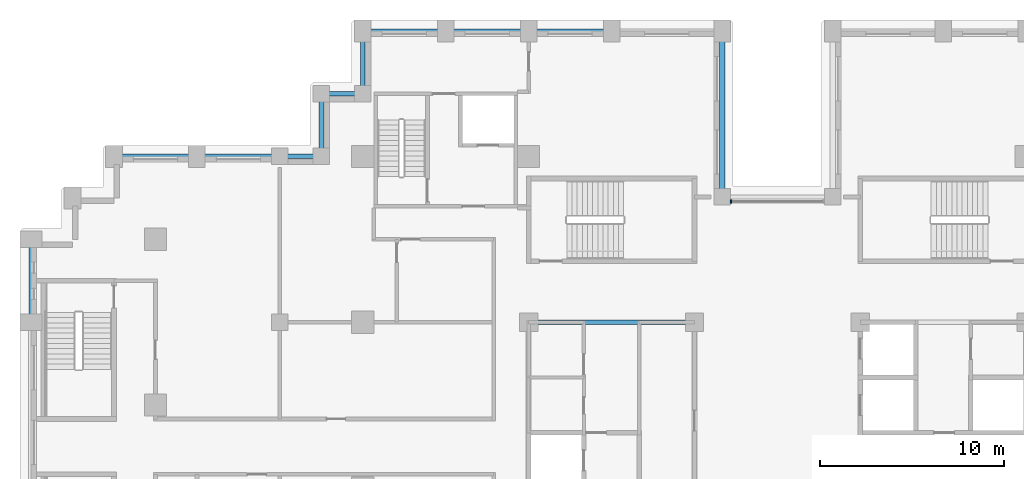
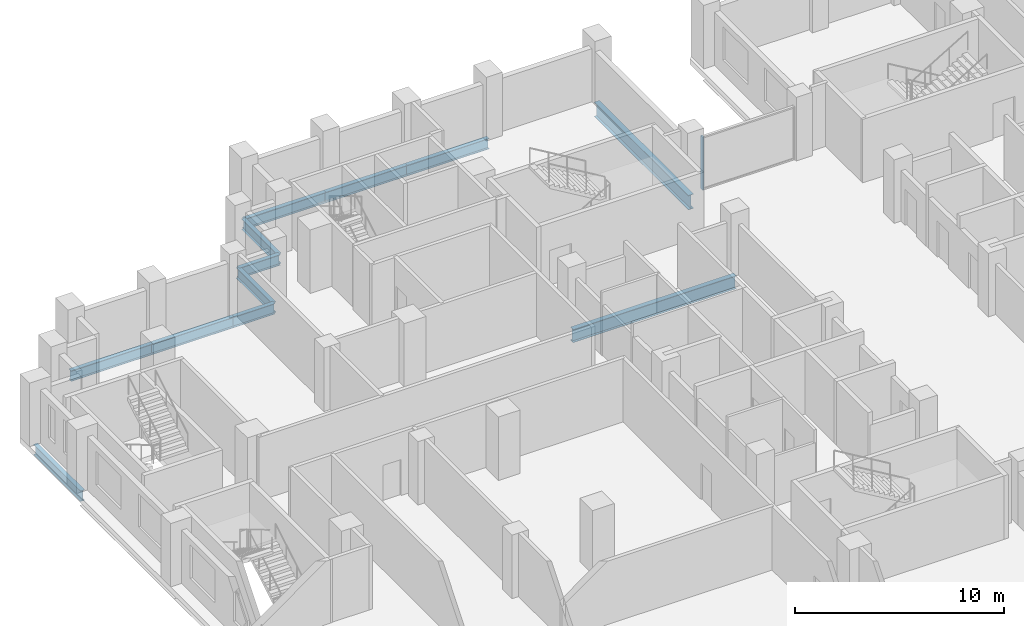
# One storey, part 3 of 15: 12 beams, 1 member, 1 element without a shape of its own.
"""IFC4 building model written with IfcOpenShell, lengths in metres."""

from ifc_helpers import new_model, si_unit, direction, frame, origin, origin_2d, place, context, subcontext, project, spatial, rectangle, i_section, extrude, material, layer, layer_set, material_profile, profile_set, type_object, element, aggregate, save


model = new_model("IFC4")

# Units and contexts
model_context = context("Model", 3, precision=1e-05, world=origin(), true_north=direction((0.0, 1.0)))
body_context = subcontext(model_context, "Body", "Model", "MODEL_VIEW")
ifc_project = project(units=[si_unit("LENGTHUNIT", "METRE"), si_unit("AREAUNIT", "SQUARE_METRE"), si_unit("VOLUMEUNIT", "CUBIC_METRE"), si_unit("PLANEANGLEUNIT", "RADIAN"), si_unit("MASSUNIT", "GRAM", prefix="KILO")], contexts=[model_context])

# Site, building, storey
site_placement = place(None, origin())
site = spatial("IfcSite", under=ifc_project, at=site_placement, CompositionType="ELEMENT")
building_placement = place(site_placement, origin())
building = spatial("IfcBuilding", under=site, at=building_placement, Name="Corbelhall Arena Tower", CompositionType="ELEMENT")
storey_placement = place(building_placement, frame((0.0, 0.0, 80.0)))
storey = spatial("IfcBuildingStorey", under=building, at=storey_placement, Name="L12", CompositionType="ELEMENT", Elevation=80.0)

# Curtain wall, member
ifc_material_1 = material(Name="Aluminium black anodised", Category="aluminium")
ifc_layer = layer(ifc_material_1, 0.199951171875)
ifc_layer_set = layer_set([ifc_layer], Name="EV-CW1 Slot back wall")
curtain_wall_type = type_object("IfcCurtainWallType", Name="EV-CW1 Slot back wall", PredefinedType="NOTDEFINED", material=ifc_layer_set)
curtain_wall_placement = place(storey_placement, origin())
curtain_wall = element("IfcCurtainWall", 1, at=curtain_wall_placement, inside=storey, type_object=curtain_wall_type, Name="Curtain wall CW1", PredefinedType="NOTDEFINED")
ifc_material_profile_1 = material_profile(ifc_material_1, rectangle(XDim=0.199951171875, YDim=0.074951171875, at=origin_2d()))
ifc_profile_set_1 = profile_set([ifc_material_profile_1], Name="Aluminium black anodised")
member_type = type_object("IfcMemberType", Name="EV-CW1-MULLION", PredefinedType="MULLION", material=ifc_profile_set_1)
member_placement = place(storey_placement, frame((-2.512451171875, 15.550048828125, 0.0), z_axis=(0.0, 0.0, 1.0), x_axis=(0.0, -1.0, 0.0)))
member = element("IfcMember", 2, at=member_placement, type_object=member_type, Name="CW1 mullion 2", PredefinedType="MULLION", context=body_context, shape_type="SweptSolid", body=[
    extrude(rectangle(XDim=0.199951171875, YDim=0.074951171875, at=origin_2d()), origin(), (0.0, 0.0, 1.0), 3.10009765625),
])
aggregate(curtain_wall, [member])

# Beams
ifc_material_2 = material(Name="Steel ASTM A992 Gr50", Category="steel")
ifc_material_profile_2 = material_profile(ifc_material_2, i_section(OverallWidth=0.2666015625, OverallDepth=0.761962890625, WebThickness=0.014404296875, FlangeThickness=0.021484375, at=origin_2d()))
ifc_profile_set_2 = profile_set([ifc_material_profile_2], Name="Steel ASTM A992 Gr50")
beam_type_1 = type_object("IfcBeamType", Name="ST-BEAM-W30x116", PredefinedType="BEAM", material=ifc_profile_set_2)
beam_1_placement = place(storey_placement, frame((-13.5, 9.0, -0.680908203125), z_axis=(1.0, 0.0, 0.0), x_axis=(0.0, 1.0, 0.0)))
element("IfcBeam", 3, at=beam_1_placement, inside=storey, type_object=beam_type_1, Name="Beam CEW 6", PredefinedType="BEAM", context=body_context, shape_type="SweptSolid", body=[
    extrude(i_section(OverallWidth=0.2666015625, OverallDepth=0.761962890625, WebThickness=0.014404296875, FlangeThickness=0.021484375, at=origin_2d()), origin(), (0.0, 0.0, 1.0), 9.0),
])
ifc_material_profile_3 = material_profile(ifc_material_2, i_section(OverallWidth=0.23046875, OverallDepth=0.6171875, WebThickness=0.01318359375, FlangeThickness=0.022216796875, at=origin_2d()))
ifc_profile_set_3 = profile_set([ifc_material_profile_3], Name="Steel ASTM A992 Gr50")
beam_type_2 = type_object("IfcBeamType", Name="ST-SPANDREL-W24x94", PredefinedType="SPANDREL", material=ifc_profile_set_3)
for number, where, z_axis, x_axis, name in (
    (4, (-40.5, 9.0, -0.608642578125), (0.0, 1.0, 0.0), (-1.0, 0.0, 0.0), "Beam SP 2"),
    (5, (-31.5, 18.0, -0.608642578125), (1.0, 0.0, 0.0), (0.0, 1.0, 0.0), "Beam SP 5"),
    (6, (-36.0, 18.0, -0.608642578125), (1.0, 0.0, 0.0), (0.0, 1.0, 0.0), "Beam SP 6"),
    (7, (-13.5, 24.800048828125, -0.608642578125), (1.0, 0.0, 0.0), (0.0, 1.0, 0.0), "Beam SP 24"),
    (8, (-18.0, 24.800048828125, -0.608642578125), (1.0, 0.0, 0.0), (0.0, 1.0, 0.0), "Beam SP 25"),
    (9, (-22.5, 24.800048828125, -0.608642578125), (1.0, 0.0, 0.0), (0.0, 1.0, 0.0), "Beam SP 26"),
):
    element("IfcBeam", number, at=place(storey_placement, frame(where, z_axis=z_axis, x_axis=x_axis)), inside=storey, type_object=beam_type_2, Name=name, PredefinedType="SPANDREL", context=body_context, shape_type="SweptSolid", body=[
        extrude(i_section(OverallWidth=0.23046875, OverallDepth=0.6171875, WebThickness=0.01318359375, FlangeThickness=0.022216796875, at=origin_2d()), origin(), (0.0, 0.0, 1.0), 4.5),
    ])
beam_2_placement = place(storey_placement, frame((-27.0, 18.0, -0.608642578125), z_axis=(1.0, 0.0, 0.0), x_axis=(0.0, 1.0, 0.0)))
element("IfcBeam", 10, at=beam_2_placement, inside=storey, type_object=beam_type_2, Name="Beam SP 37", PredefinedType="SPANDREL", context=body_context, shape_type="SweptSolid", body=[
    extrude(i_section(OverallWidth=0.23046875, OverallDepth=0.6171875, WebThickness=0.01318359375, FlangeThickness=0.022216796875, at=origin_2d()), origin(), (0.0, 0.0, 1.0), 2.25),
])
beam_3_placement = place(storey_placement, frame((-22.5, 21.39990234375, -0.608642578125), z_axis=(0.0, 1.0, 0.0), x_axis=(-1.0, 0.0, 0.0)))
element("IfcBeam", 11, at=beam_3_placement, inside=storey, type_object=beam_type_2, Name="Beam SP 46", PredefinedType="SPANDREL", context=body_context, shape_type="SweptSolid", body=[
    extrude(i_section(OverallWidth=0.23046875, OverallDepth=0.6171875, WebThickness=0.01318359375, FlangeThickness=0.022216796875, at=origin_2d()), origin(), (0.0, 0.0, 1.0), 3.400146484375),
])
beam_4_placement = place(storey_placement, frame((-24.75, 21.39990234375, -0.608642578125), z_axis=(1.0, 0.0, 0.0), x_axis=(0.0, 1.0, 0.0)))
element("IfcBeam", 12, at=beam_4_placement, inside=storey, type_object=beam_type_2, Name="Beam SP 47", PredefinedType="SPANDREL", context=body_context, shape_type="SweptSolid", body=[
    extrude(i_section(OverallWidth=0.23046875, OverallDepth=0.6171875, WebThickness=0.01318359375, FlangeThickness=0.022216796875, at=origin_2d()), origin(), (0.0, 0.0, 1.0), 2.25),
])
beam_5_placement = place(storey_placement, frame((-24.75, 18.0, -0.608642578125), z_axis=(0.0, 1.0, 0.0), x_axis=(-1.0, 0.0, 0.0)))
element("IfcBeam", 13, at=beam_5_placement, inside=storey, type_object=beam_type_2, Name="Beam SP 48", PredefinedType="SPANDREL", context=body_context, shape_type="SweptSolid", body=[
    extrude(i_section(OverallWidth=0.23046875, OverallDepth=0.6171875, WebThickness=0.01318359375, FlangeThickness=0.022216796875, at=origin_2d()), origin(), (0.0, 0.0, 1.0), 3.39990234375),
])
ifc_material_profile_4 = material_profile(ifc_material_2, i_section(OverallWidth=0.2919921875, OverallDepth=0.845703125, WebThickness=0.015380859375, FlangeThickness=0.0244140625, at=origin_2d()))
ifc_profile_set_4 = profile_set([ifc_material_profile_4], Name="Steel ASTM A992 Gr50")
beam_type_3 = type_object("IfcBeamType", Name="ST-SPANDREL-W33x141", PredefinedType="SPANDREL", material=ifc_profile_set_4)
beam_6_placement = place(storey_placement, frame((-3.0, 24.800048828125, -0.722900390625), z_axis=(0.0, -1.0, 0.0), x_axis=(1.0, 0.0, 0.0)))
element("IfcBeam", 14, at=beam_6_placement, inside=storey, type_object=beam_type_3, Name="Beam SP 22", PredefinedType="SPANDREL", context=body_context, shape_type="SweptSolid", body=[
    extrude(i_section(OverallWidth=0.2919921875, OverallDepth=0.845703125, WebThickness=0.015380859375, FlangeThickness=0.0244140625, at=origin_2d()), origin(), (0.0, 0.0, 1.0), 9.0),
])

save(model, "model.ifc")
